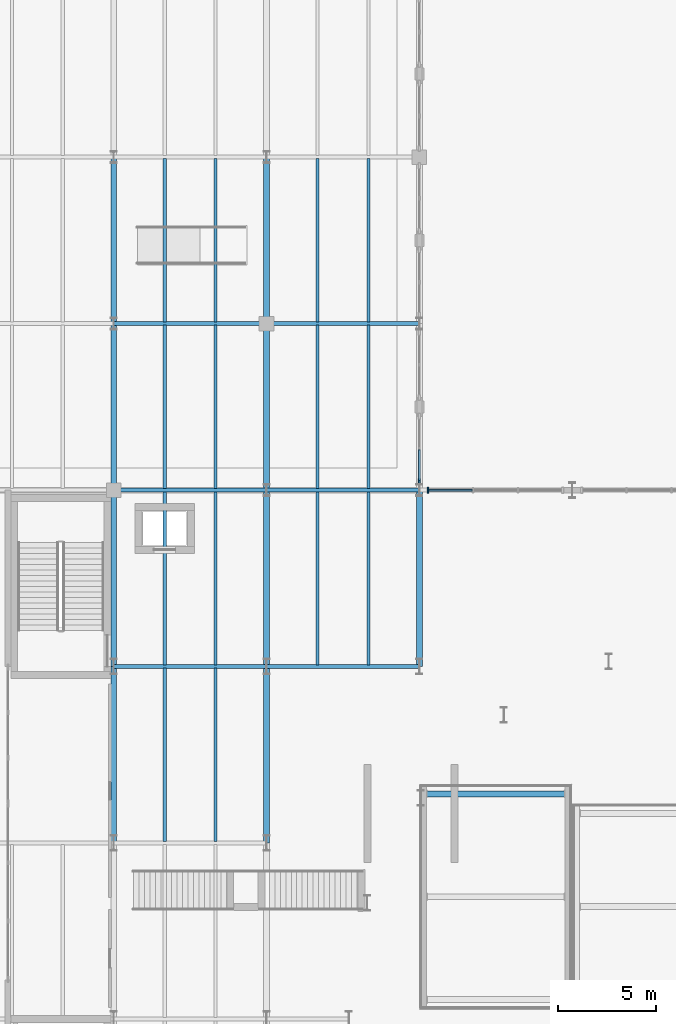
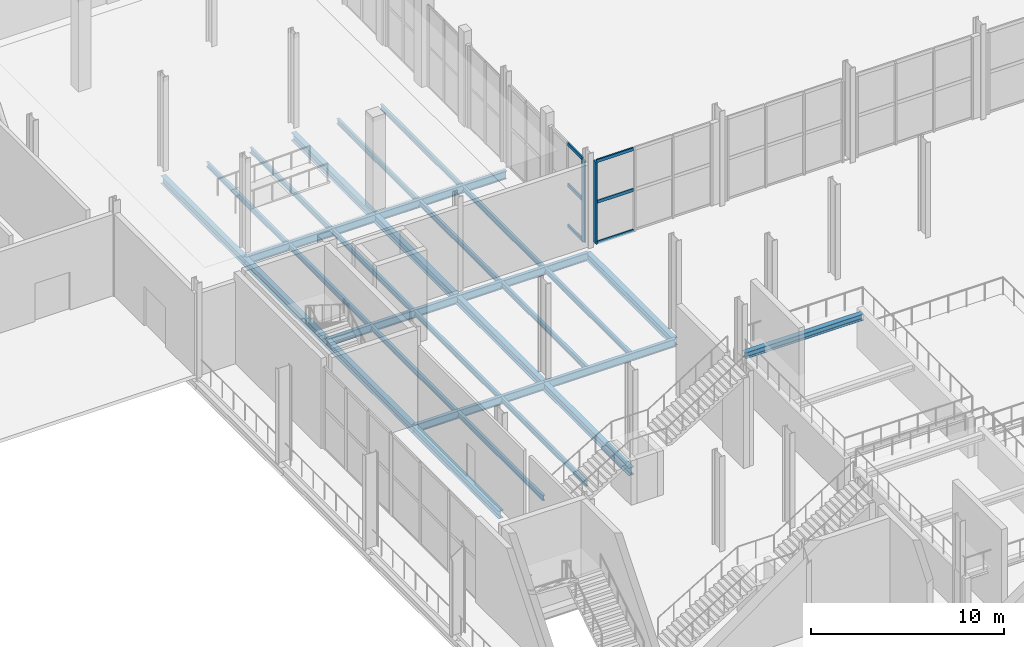
# One storey, part 21 of 84: 30 beams, 8 members, 2 elements without a shape of their own.
"""IFC4 building model written with IfcOpenShell, lengths in metres."""

from ifc_helpers import new_model, si_unit, direction, frame, origin, origin_2d, place, context, subcontext, project, spatial, rectangle, i_section, extrude, material, layer, layer_set, material_profile, profile_set, type_object, element, aggregate, save


model = new_model("IFC4")

# Units and contexts
model_context = context("Model", 3, precision=1e-05, world=origin(), true_north=direction((0.0, 1.0)))
body_context = subcontext(model_context, "Body", "Model", "MODEL_VIEW")
ifc_project = project(units=[si_unit("LENGTHUNIT", "METRE"), si_unit("AREAUNIT", "SQUARE_METRE"), si_unit("VOLUMEUNIT", "CUBIC_METRE"), si_unit("PLANEANGLEUNIT", "RADIAN"), si_unit("MASSUNIT", "GRAM", prefix="KILO")], contexts=[model_context])

# Site, building, storey
site_placement = place(None, origin())
site = spatial("IfcSite", under=ifc_project, at=site_placement, CompositionType="ELEMENT")
building_placement = place(site_placement, origin())
building = spatial("IfcBuilding", under=site, at=building_placement, Name="Sefraquen Railside Congress Hotel", CompositionType="ELEMENT")
storey_placement = place(building_placement, origin())
storey = spatial("IfcBuildingStorey", under=building, at=storey_placement, Name="L00", CompositionType="ELEMENT", Elevation=0.0)

# Beams
ifc_material_1 = material(Name="Steel S355JR", Category="steel")
ifc_material_profile_1 = material_profile(ifc_material_1, i_section(OverallWidth=0.300048828125, OverallDepth=0.389892578125, WebThickness=0.010986328125, FlangeThickness=0.01904296875, FilletRadius=0.027099609375, at=origin_2d()), Name="HEA 400")
ifc_profile_set_1 = profile_set([ifc_material_profile_1], Name="Steel S355JR")
beam_type_1 = type_object("IfcBeamType", Name="TB-BM-400", PredefinedType="BEAM", material=ifc_profile_set_1)
beam_1_placement = place(storey_placement, frame((48.97509765625, 38.5, 2.344970703125), z_axis=(1.0, 0.0, 0.0), x_axis=(0.0, 1.0, 0.0)))
element("IfcBeam", 1, at=beam_1_placement, inside=storey, type_object=beam_type_1, Name="Congress Hall RAKER beam L00-04B", PredefinedType="BEAM", context=body_context, shape_type="SweptSolid", body=[
    extrude(i_section(OverallWidth=0.300048828125, OverallDepth=0.389892578125, WebThickness=0.010986328125, FlangeThickness=0.01904296875, FilletRadius=0.027099609375, at=origin_2d()), origin(), (0.0, 0.0, 1.0), 7.0498046875),
])
ifc_material_profile_2 = material_profile(ifc_material_1, i_section(OverallWidth=0.199951171875, OverallDepth=0.5, WebThickness=0.01025390625, FlangeThickness=0.01611328125, FilletRadius=0.02099609375, at=origin_2d()), Name="IPE 500")
ifc_profile_set_2 = profile_set([ifc_material_profile_2], Name="Steel S355JR")
beam_type_2 = type_object("IfcBeamType", Name="TB-BM-500", PredefinedType="BEAM", material=ifc_profile_set_2)
for number, where, z_axis, x_axis, name in (
    (2, (33.0, 45.0, -0.64990234375), (1.0, 0.0, 0.0), (0.0, 1.0, 0.0), "Primary girder BM-L00-0044"),
    (3, (40.800048828125, 45.0, -0.64990234375), (1.0, 0.0, 0.0), (0.0, 1.0, 0.0), "Primary girder BM-L00-0045"),
    (4, (33.0, 54.0, -0.64990234375), (1.0, 0.0, 0.0), (0.0, 1.0, 0.0), "Primary girder BM-L00-0055"),
    (5, (40.800048828125, 54.0, -0.64990234375), (1.0, 0.0, 0.0), (0.0, 1.0, 0.0), "Primary girder BM-L00-0056"),
    (6, (33.0, 62.5, -0.64990234375), (1.0, 0.0, 0.0), (0.0, 1.0, 0.0), "Primary girder BM-L00-0076"),
    (7, (40.800048828125, 62.5, -0.64990234375), (1.0, 0.0, 0.0), (0.0, 1.0, 0.0), "Primary girder BM-L00-0077"),
):
    element("IfcBeam", number, at=place(storey_placement, frame(where, z_axis=z_axis, x_axis=x_axis)), inside=storey, type_object=beam_type_2, Name=name, PredefinedType="BEAM", context=body_context, shape_type="SweptSolid", body=[
        extrude(i_section(OverallWidth=0.199951171875, OverallDepth=0.5, WebThickness=0.01025390625, FlangeThickness=0.01611328125, FilletRadius=0.02099609375, at=origin_2d()), origin(), (0.0, 0.0, 1.0), 7.800048828125),
    ])
ifc_material_profile_3 = material_profile(ifc_material_1, i_section(OverallWidth=0.300048828125, OverallDepth=0.489990234375, WebThickness=0.011962890625, FlangeThickness=0.02294921875, FilletRadius=0.027099609375, at=origin_2d()), Name="HEA 500")
ifc_profile_set_3 = profile_set([ifc_material_profile_3], Name="Steel S355JR")
beam_type_3 = type_object("IfcBeamType", Name="TB-GIR-500", PredefinedType="T_BEAM", material=ifc_profile_set_3)
for number, where, z_axis, x_axis, name in (
    (8, (33.0, 36.0, -0.64501953125), (0.0, 1.0, 0.0), (-1.0, 0.0, 0.0), "Floor beam BM-L00-0204"),
    (9, (33.0, 45.0, -0.64501953125), (0.0, 1.0, 0.0), (-1.0, 0.0, 0.0), "Floor beam BM-L00-0205"),
):
    element("IfcBeam", number, at=place(storey_placement, frame(where, z_axis=z_axis, x_axis=x_axis)), inside=storey, type_object=beam_type_3, Name=name, PredefinedType="T_BEAM", context=body_context, shape_type="SweptSolid", body=[
        extrude(i_section(OverallWidth=0.300048828125, OverallDepth=0.489990234375, WebThickness=0.011962890625, FlangeThickness=0.02294921875, FilletRadius=0.027099609375, at=origin_2d()), origin(), (0.0, 0.0, 1.0), 9.0),
    ])
for number, where, z_axis, x_axis, name in (
    (10, (33.0, 54.0, -0.64501953125), (0.0, 1.0, 0.0), (-1.0, 0.0, 0.0), "Floor beam BM-L00-0206"),
    (11, (33.0, 62.5, -0.64501953125), (0.0, 1.0, 0.0), (-1.0, 0.0, 0.0), "Floor beam BM-L00-0207"),
):
    element("IfcBeam", number, at=place(storey_placement, frame(where, z_axis=z_axis, x_axis=x_axis)), inside=storey, type_object=beam_type_3, Name=name, PredefinedType="T_BEAM", context=body_context, shape_type="SweptSolid", body=[
        extrude(i_section(OverallWidth=0.300048828125, OverallDepth=0.489990234375, WebThickness=0.011962890625, FlangeThickness=0.02294921875, FilletRadius=0.027099609375, at=origin_2d()), origin(), (0.0, 0.0, 1.0), 8.5),
    ])
for number, where, z_axis, x_axis, name in (
    (12, (40.800048828125, 36.0, -0.64501953125), (0.0, 1.0, 0.0), (-1.0, 0.0, 0.0), "Floor beam BM-L00-0217"),
    (13, (40.800048828125, 45.0, -0.64501953125), (0.0, 1.0, 0.0), (-1.0, 0.0, 0.0), "Floor beam BM-L00-0218"),
):
    element("IfcBeam", number, at=place(storey_placement, frame(where, z_axis=z_axis, x_axis=x_axis)), inside=storey, type_object=beam_type_3, Name=name, PredefinedType="T_BEAM", context=body_context, shape_type="SweptSolid", body=[
        extrude(i_section(OverallWidth=0.300048828125, OverallDepth=0.489990234375, WebThickness=0.011962890625, FlangeThickness=0.02294921875, FilletRadius=0.027099609375, at=origin_2d()), origin(), (0.0, 0.0, 1.0), 9.0),
    ])
for number, where, z_axis, x_axis, name in (
    (14, (40.800048828125, 54.0, -0.64501953125), (0.0, 1.0, 0.0), (-1.0, 0.0, 0.0), "Floor beam BM-L00-0219"),
    (15, (40.800048828125, 62.5, -0.64501953125), (0.0, 1.0, 0.0), (-1.0, 0.0, 0.0), "Floor beam BM-L00-0220"),
):
    element("IfcBeam", number, at=place(storey_placement, frame(where, z_axis=z_axis, x_axis=x_axis)), inside=storey, type_object=beam_type_3, Name=name, PredefinedType="T_BEAM", context=body_context, shape_type="SweptSolid", body=[
        extrude(i_section(OverallWidth=0.300048828125, OverallDepth=0.489990234375, WebThickness=0.011962890625, FlangeThickness=0.02294921875, FilletRadius=0.027099609375, at=origin_2d()), origin(), (0.0, 0.0, 1.0), 8.5),
    ])
beam_2_placement = place(storey_placement, frame((48.60009765625, 45.0, -0.64501953125), z_axis=(0.0, 1.0, 0.0), x_axis=(-1.0, 0.0, 0.0)))
element("IfcBeam", 16, at=beam_2_placement, inside=storey, type_object=beam_type_3, Name="Floor beam BM-L00-0227", PredefinedType="T_BEAM", context=body_context, shape_type="SweptSolid", body=[
    extrude(i_section(OverallWidth=0.300048828125, OverallDepth=0.489990234375, WebThickness=0.011962890625, FlangeThickness=0.02294921875, FilletRadius=0.027099609375, at=origin_2d()), origin(), (0.0, 0.0, 1.0), 9.0),
])
ifc_material_profile_4 = material_profile(ifc_material_1, i_section(OverallWidth=0.159912109375, OverallDepth=0.330078125, WebThickness=0.007568359375, FlangeThickness=0.011474609375, FilletRadius=0.01806640625, at=origin_2d()), Name="IPE 330")
ifc_profile_set_4 = profile_set([ifc_material_profile_4], Name="Steel S355JR")
beam_type_4 = type_object("IfcBeamType", Name="TB-JST-330", PredefinedType="JOIST", material=ifc_profile_set_4)
for number, where, z_axis, x_axis, name in (
    (17, (35.60009765625, 36.080078125, -0.56494140625), (0.0, 1.0, 0.0), (-1.0, 0.0, 0.0), "Composite floor joist BM-L00-J0050"),
    (18, (38.199951171875, 36.080078125, -0.56494140625), (0.0, 1.0, 0.0), (-1.0, 0.0, 0.0), "Composite floor joist BM-L00-J0051"),
    (19, (35.60009765625, 45.080078125, -0.56494140625), (0.0, 1.0, 0.0), (-1.0, 0.0, 0.0), "Composite floor joist BM-L00-J0052"),
    (20, (38.199951171875, 45.080078125, -0.56494140625), (0.0, 1.0, 0.0), (-1.0, 0.0, 0.0), "Composite floor joist BM-L00-J0053"),
):
    element("IfcBeam", number, at=place(storey_placement, frame(where, z_axis=z_axis, x_axis=x_axis)), inside=storey, type_object=beam_type_4, Name=name, PredefinedType="JOIST", context=body_context, shape_type="SweptSolid", body=[
        extrude(i_section(OverallWidth=0.159912109375, OverallDepth=0.330078125, WebThickness=0.007568359375, FlangeThickness=0.011474609375, FilletRadius=0.01806640625, at=origin_2d()), origin(), (0.0, 0.0, 1.0), 8.83984375),
    ])
for number, where, z_axis, x_axis, name in (
    (21, (35.60009765625, 54.080078125, -0.56494140625), (0.0, 1.0, 0.0), (-1.0, 0.0, 0.0), "Composite floor joist BM-L00-J0054"),
    (22, (38.199951171875, 54.080078125, -0.56494140625), (0.0, 1.0, 0.0), (-1.0, 0.0, 0.0), "Composite floor joist BM-L00-J0055"),
    (23, (35.60009765625, 62.580078125, -0.56494140625), (0.0, 1.0, 0.0), (-1.0, 0.0, 0.0), "Composite floor joist BM-L00-J0056"),
    (24, (38.199951171875, 62.580078125, -0.56494140625), (0.0, 1.0, 0.0), (-1.0, 0.0, 0.0), "Composite floor joist BM-L00-J0057"),
):
    element("IfcBeam", number, at=place(storey_placement, frame(where, z_axis=z_axis, x_axis=x_axis)), inside=storey, type_object=beam_type_4, Name=name, PredefinedType="JOIST", context=body_context, shape_type="SweptSolid", body=[
        extrude(i_section(OverallWidth=0.159912109375, OverallDepth=0.330078125, WebThickness=0.007568359375, FlangeThickness=0.011474609375, FilletRadius=0.01806640625, at=origin_2d()), origin(), (0.0, 0.0, 1.0), 8.33984375),
    ])
for number, where, z_axis, x_axis, name in (
    (25, (43.39990234375, 45.080078125, -0.56494140625), (0.0, 1.0, 0.0), (-1.0, 0.0, 0.0), "Composite floor joist BM-L00-J0070"),
    (26, (46.0, 45.080078125, -0.56494140625), (0.0, 1.0, 0.0), (-1.0, 0.0, 0.0), "Composite floor joist BM-L00-J0071"),
):
    element("IfcBeam", number, at=place(storey_placement, frame(where, z_axis=z_axis, x_axis=x_axis)), inside=storey, type_object=beam_type_4, Name=name, PredefinedType="JOIST", context=body_context, shape_type="SweptSolid", body=[
        extrude(i_section(OverallWidth=0.159912109375, OverallDepth=0.330078125, WebThickness=0.007568359375, FlangeThickness=0.011474609375, FilletRadius=0.01806640625, at=origin_2d()), origin(), (0.0, 0.0, 1.0), 8.83984375),
    ])
for number, where, z_axis, x_axis, name in (
    (27, (43.39990234375, 54.080078125, -0.56494140625), (0.0, 1.0, 0.0), (-1.0, 0.0, 0.0), "Composite floor joist BM-L00-J0072"),
    (28, (46.0, 54.080078125, -0.56494140625), (0.0, 1.0, 0.0), (-1.0, 0.0, 0.0), "Composite floor joist BM-L00-J0073"),
    (29, (43.39990234375, 62.580078125, -0.56494140625), (0.0, 1.0, 0.0), (-1.0, 0.0, 0.0), "Composite floor joist BM-L00-J0074"),
    (30, (46.0, 62.580078125, -0.56494140625), (0.0, 1.0, 0.0), (-1.0, 0.0, 0.0), "Composite floor joist BM-L00-J0075"),
):
    element("IfcBeam", number, at=place(storey_placement, frame(where, z_axis=z_axis, x_axis=x_axis)), inside=storey, type_object=beam_type_4, Name=name, PredefinedType="JOIST", context=body_context, shape_type="SweptSolid", body=[
        extrude(i_section(OverallWidth=0.159912109375, OverallDepth=0.330078125, WebThickness=0.007568359375, FlangeThickness=0.011474609375, FilletRadius=0.01806640625, at=origin_2d()), origin(), (0.0, 0.0, 1.0), 8.33984375),
    ])

# Curtain wall, member
ifc_material_2 = material(Name="Thermally broken anodised aluminium and low-E double glazing", Category="aluminium")
ifc_layer_1 = layer(ifc_material_2, 0.199951171875)
ifc_layer_set_1 = layer_set([ifc_layer_1], Name="Thermally broken anodised aluminium and low-E double glazing")
curtain_wall_type_1 = type_object("IfcCurtainWallType", Name="TCW-UCW-06", PredefinedType="USERDEFINED", material=ifc_layer_set_1)
curtain_wall_1_placement = place(storey_placement, origin())
curtain_wall_1 = element("IfcCurtainWall", 31, at=curtain_wall_1_placement, inside=storey, type_object=curtain_wall_type_1, Name="Congress courtyard north curtain wall L00-1", ObjectType="UNITISED CURTAIN WALL", PredefinedType="USERDEFINED")
ifc_material_3 = material(Name="Thermally broken anodised aluminium 6063-T6", Category="aluminium")
ifc_material_profile_5 = material_profile(ifc_material_3, rectangle(XDim=0.094970703125, YDim=0.300048828125, at=origin_2d()), Name="CWM 95x300")
ifc_profile_set_5 = profile_set([ifc_material_profile_5], Name="Thermally broken anodised aluminium 6063-T6")
member_type_1 = type_object("IfcMemberType", Name="TM-CWM-08", PredefinedType="MULLION", material=ifc_profile_set_5)
member_1_placement = place(storey_placement, frame((49.0400390625, 54.0, 0.0), z_axis=(0.0, 0.0, 1.0), x_axis=(1.0, 0.0, 0.0)))
member_1 = element("IfcMember", 32, at=member_1_placement, type_object=member_type_1, Name="CW-L00-006 mullion 1", PredefinedType="MULLION", context=body_context, shape_type="SweptSolid", body=[
    extrude(rectangle(XDim=0.094970703125, YDim=0.300048828125, at=origin_2d()), origin(), (0.0, 0.0, 1.0), 5.14990234375),
])

ifc_layer_2 = layer(ifc_material_2, 0.199951171875)
ifc_layer_set_2 = layer_set([ifc_layer_2], Name="Thermally broken anodised aluminium and low-E double glazing")
curtain_wall_type_2 = type_object("IfcCurtainWallType", Name="TCW-UCW-15", PredefinedType="USERDEFINED", material=ifc_layer_set_2)
curtain_wall_2_placement = place(storey_placement, origin())
curtain_wall_2 = element("IfcCurtainWall", 33, at=curtain_wall_2_placement, inside=storey, type_object=curtain_wall_type_2, Name="Courtyard west arcade curtain wall UCW-15", ObjectType="UNITISED CURTAIN WALL", PredefinedType="USERDEFINED")
member_2_placement = place(storey_placement, frame((48.60009765625, 54.43994140625, 0.0), z_axis=(0.0, 0.0, 1.0), x_axis=(1.0, 0.0, 0.0)))
member_2 = element("IfcMember", 34, at=member_2_placement, type_object=member_type_1, Name="CW-L00-015 mullion 1", PredefinedType="MULLION", context=body_context, shape_type="SweptSolid", body=[
    extrude(rectangle(XDim=0.094970703125, YDim=0.300048828125, at=origin_2d()), origin(), (0.0, 0.0, 1.0), 5.14990234375),
])

# Member
ifc_material_profile_6 = material_profile(ifc_material_3, rectangle(XDim=0.0849609375, YDim=0.195068359375, at=origin_2d()), Name="CWT 85x195")
ifc_profile_set_6 = profile_set([ifc_material_profile_6], Name="Thermally broken anodised aluminium 6063-T6")
member_type_2 = type_object("IfcMemberType", Name="TM-CWT-06", PredefinedType="USERDEFINED", material=ifc_profile_set_6)
member_3_placement = place(storey_placement, frame((49.0849609375, 54.0, 0.0), z_axis=(1.0, 0.0, 0.0), x_axis=(0.0, 1.0, 0.0)))
member_3 = element("IfcMember", 35, at=member_3_placement, type_object=member_type_2, Name="CW-L00-006 transom 1.1", ObjectType="TRANSOM", PredefinedType="USERDEFINED", context=body_context, shape_type="SweptSolid", body=[
    extrude(rectangle(XDim=0.0849609375, YDim=0.195068359375, at=origin_2d()), origin(), (0.0, 0.0, 1.0), 2.203369140625),
])

member_4_placement = place(storey_placement, frame((49.0849609375, 54.0, 2.574951171875), z_axis=(1.0, 0.0, 0.0), x_axis=(0.0, 1.0, 0.0)))
member_4 = element("IfcMember", 36, at=member_4_placement, type_object=member_type_2, Name="CW-L00-006 transom 2.1", ObjectType="TRANSOM", PredefinedType="USERDEFINED", context=body_context, shape_type="SweptSolid", body=[
    extrude(rectangle(XDim=0.0849609375, YDim=0.195068359375, at=origin_2d()), origin(), (0.0, 0.0, 1.0), 2.203369140625),
])

member_5_placement = place(storey_placement, frame((49.0849609375, 54.0, 5.14990234375), z_axis=(1.0, 0.0, 0.0), x_axis=(0.0, 1.0, 0.0)))
member_5 = element("IfcMember", 37, at=member_5_placement, type_object=member_type_2, Name="CW-L00-006 transom 3.1", ObjectType="TRANSOM", PredefinedType="USERDEFINED", context=body_context, shape_type="SweptSolid", body=[
    extrude(rectangle(XDim=0.0849609375, YDim=0.195068359375, at=origin_2d()), origin(), (0.0, 0.0, 1.0), 2.203369140625),
])

aggregate(curtain_wall_1, [member_1, member_3, member_4, member_5])

ifc_material_profile_7 = material_profile(ifc_material_3, rectangle(XDim=0.090087890625, YDim=0.2099609375, at=origin_2d()), Name="CWT 90x210")
ifc_profile_set_7 = profile_set([ifc_material_profile_7], Name="Thermally broken anodised aluminium 6063-T6")
member_type_3 = type_object("IfcMemberType", Name="TM-CWT-07", PredefinedType="USERDEFINED", material=ifc_profile_set_7)
member_6_placement = place(storey_placement, frame((48.60009765625, 54.485107421875, 0.0), z_axis=(0.0, 1.0, 0.0), x_axis=(-1.0, 0.0, 0.0)))
member_6 = element("IfcMember", 38, at=member_6_placement, type_object=member_type_3, Name="CW-L00-015 transom 1.1", ObjectType="TRANSOM", PredefinedType="USERDEFINED", context=body_context, shape_type="SweptSolid", body=[
    extrude(rectangle(XDim=0.090087890625, YDim=0.2099609375, at=origin_2d()), origin(), (0.0, 0.0, 1.0), 1.574951171875),
])

member_7_placement = place(storey_placement, frame((48.60009765625, 54.485107421875, 2.574951171875), z_axis=(0.0, 1.0, 0.0), x_axis=(-1.0, 0.0, 0.0)))
member_7 = element("IfcMember", 39, at=member_7_placement, type_object=member_type_3, Name="CW-L00-015 transom 2.1", ObjectType="TRANSOM", PredefinedType="USERDEFINED", context=body_context, shape_type="SweptSolid", body=[
    extrude(rectangle(XDim=0.090087890625, YDim=0.2099609375, at=origin_2d()), origin(), (0.0, 0.0, 1.0), 1.574951171875),
])

member_8_placement = place(storey_placement, frame((48.60009765625, 54.485107421875, 5.14990234375), z_axis=(0.0, 1.0, 0.0), x_axis=(-1.0, 0.0, 0.0)))
member_8 = element("IfcMember", 40, at=member_8_placement, type_object=member_type_3, Name="CW-L00-015 transom 3.1", ObjectType="TRANSOM", PredefinedType="USERDEFINED", context=body_context, shape_type="SweptSolid", body=[
    extrude(rectangle(XDim=0.090087890625, YDim=0.2099609375, at=origin_2d()), origin(), (0.0, 0.0, 1.0), 1.574951171875),
])

aggregate(curtain_wall_2, [member_2, member_6, member_7, member_8])

save(model, "model.ifc")
